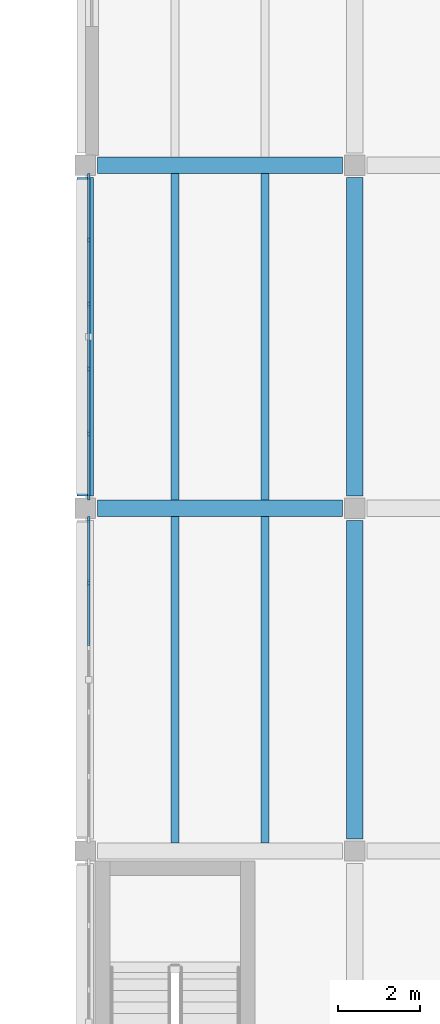
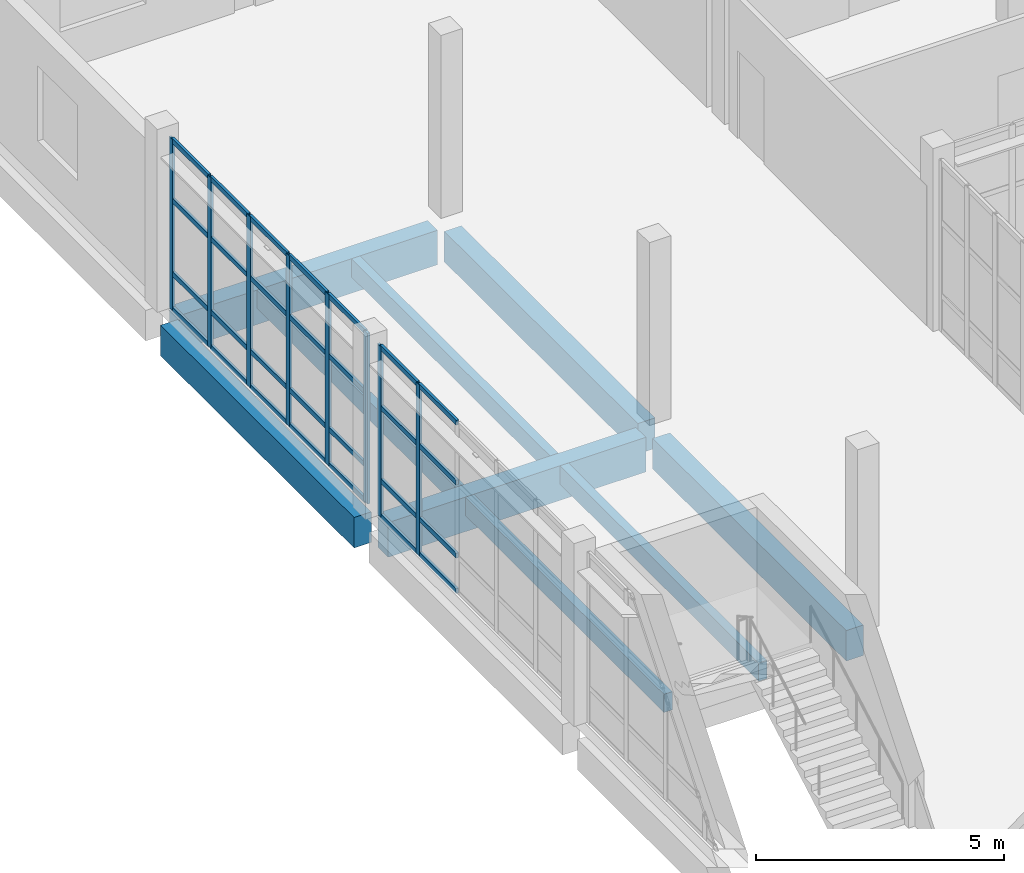
# One storey, part 31 of 83: 36 members, 9 beams, 2 elements without a shape of their own.
"""IFC4 building model written with IfcOpenShell, lengths in metres."""

from ifc_helpers import new_model, si_unit, direction, frame, origin, origin_2d, place, context, subcontext, project, spatial, rectangle, extrude, material, material_profile, profile_set, type_object, element, aggregate, save


model = new_model("IFC4")

# Units and contexts
model_context = context("Model", 3, precision=1e-05, world=origin(), true_north=direction((0.0, 1.0)))
body_context = subcontext(model_context, "Body", "Model", "MODEL_VIEW")
ifc_project = project(units=[si_unit("LENGTHUNIT", "METRE"), si_unit("AREAUNIT", "SQUARE_METRE"), si_unit("VOLUMEUNIT", "CUBIC_METRE"), si_unit("PLANEANGLEUNIT", "RADIAN"), si_unit("MASSUNIT", "GRAM", prefix="KILO")], contexts=[model_context])

# Site, building, storey
site_placement = place(None, origin())
site = spatial("IfcSite", under=ifc_project, at=site_placement, CompositionType="ELEMENT")
building_placement = place(site_placement, origin())
building = spatial("IfcBuilding", under=site, at=building_placement, Name="Qaldarim Faculty of Natural and Applied Sciences", CompositionType="ELEMENT")
storey_placement = place(building_placement, frame((0.0, 0.0, 5.39990234375)))
storey = spatial("IfcBuildingStorey", under=building, at=storey_placement, Name="L01", CompositionType="ELEMENT", Elevation=5.39990234375)

# Beams
ifc_material_1 = material(Name="Concrete C50/60", Category="concrete")
ifc_material_profile_1 = material_profile(ifc_material_1, rectangle(XDim=0.39990234375, YDim=0.75, at=origin_2d()), Name="RC-B400x750")
ifc_profile_set_1 = profile_set([ifc_material_profile_1], Name="Concrete C50/60")
beam_type_1 = type_object("IfcBeamType", Name="LabGirder-RC400x750", PredefinedType="BEAM", material=ifc_profile_set_1)
beam_1_placement = place(storey_placement, frame((151.800048828125, 101.10009765625, -0.6748046875), z_axis=(0.0, 1.0, 0.0), x_axis=(-1.0, 0.0, 0.0)))
element("IfcBeam", 1, at=beam_1_placement, inside=storey, type_object=beam_type_1, Name="Beam RC-B400x750 L00 X24/Y13-Y14", PredefinedType="BEAM", context=body_context, shape_type="SweptSolid", body=[
    extrude(rectangle(XDim=0.39990234375, YDim=0.75, at=origin_2d()), origin(), (0.0, 0.0, 1.0), 7.7998046875),
])
beam_2_placement = place(storey_placement, frame((158.39990234375, 92.699951171875, -0.6748046875), z_axis=(0.0, 1.0, 0.0), x_axis=(-1.0, 0.0, 0.0)))
element("IfcBeam", 2, at=beam_2_placement, inside=storey, type_object=beam_type_1, Name="Beam RC-B400x750 L00 X25/Y12-Y13", PredefinedType="BEAM", context=body_context, shape_type="SweptSolid", body=[
    extrude(rectangle(XDim=0.39990234375, YDim=0.75, at=origin_2d()), origin(), (0.0, 0.0, 1.0), 7.800048828125),
])
beam_3_placement = place(storey_placement, frame((158.39990234375, 101.10009765625, -0.6748046875), z_axis=(0.0, 1.0, 0.0), x_axis=(-1.0, 0.0, 0.0)))
element("IfcBeam", 3, at=beam_3_placement, inside=storey, type_object=beam_type_1, Name="Beam RC-B400x750 L00 X25/Y13-Y14", PredefinedType="BEAM", context=body_context, shape_type="SweptSolid", body=[
    extrude(rectangle(XDim=0.39990234375, YDim=0.75, at=origin_2d()), origin(), (0.0, 0.0, 1.0), 7.7998046875),
])
ifc_material_2 = material(Name="Concrete C40/50", Category="concrete")
ifc_material_profile_2 = material_profile(ifc_material_2, rectangle(XDim=0.199951171875, YDim=0.449951171875, at=origin_2d()), Name="RC-J200x450")
ifc_profile_set_2 = profile_set([ifc_material_profile_2], Name="Concrete C40/50")
beam_type_2 = type_object("IfcBeamType", Name="LabJoist-RC200x450", PredefinedType="JOIST", material=ifc_profile_set_2)
for number, where, z_axis, x_axis, name in (
    (4, (154.0, 92.60009765625, -0.52490234375), (0.0, 1.0, 0.0), (-1.0, 0.0, 0.0), "Laboratory joist L00 bay X24Y12-1"),
    (5, (156.199951171875, 92.60009765625, -0.52490234375), (0.0, 1.0, 0.0), (-1.0, 0.0, 0.0), "Laboratory joist L00 bay X24Y12-2"),
    (6, (154.0, 101.0, -0.52490234375), (0.0, 1.0, 0.0), (-1.0, 0.0, 0.0), "Laboratory joist L00 bay X24Y13-1"),
    (7, (156.199951171875, 101.0, -0.52490234375), (0.0, 1.0, 0.0), (-1.0, 0.0, 0.0), "Laboratory joist L00 bay X24Y13-2"),
):
    element("IfcBeam", number, at=place(storey_placement, frame(where, z_axis=z_axis, x_axis=x_axis)), inside=storey, type_object=beam_type_2, Name=name, PredefinedType="JOIST", context=body_context, shape_type="SweptSolid", body=[
        extrude(rectangle(XDim=0.199951171875, YDim=0.449951171875, at=origin_2d()), origin(), (0.0, 0.0, 1.0), 8.0),
    ])

# Curtain wall, members
ifc_material_3 = material(Name="Anodised aluminium AW-6063", Category="aluminium")
curtain_wall_type = type_object("IfcCurtainWallType", Name="CurtainWallSystem-M1600", PredefinedType="USERDEFINED", material=ifc_material_3)
curtain_wall_1_placement = place(storey_placement, origin())
curtain_wall_1 = element("IfcCurtainWall", 8, at=curtain_wall_1_placement, inside=storey, type_object=curtain_wall_type, Name="Curtain wall CW-L01-W-X24Y12", ObjectType="UNITISED FACADE", PredefinedType="USERDEFINED")
ifc_material_profile_3 = material_profile(ifc_material_3, rectangle(XDim=0.06005859375, YDim=0.14990234375, at=origin_2d()), Name="ALU-M60x150")
ifc_profile_set_3 = profile_set([ifc_material_profile_3], Name="Anodised aluminium AW-6063")
member_type_1 = type_object("IfcMemberType", Name="Mullion-ALU60x150", PredefinedType="MULLION", material=ifc_profile_set_3)
member_1_placement = place(storey_placement, frame((151.8798828125, 100.52490234375, 0.0), z_axis=(0.0, 0.0, 1.0), x_axis=(1.0, 0.0, 0.0)))
member_1 = element("IfcMember", 9, at=member_1_placement, type_object=member_type_1, Name="Mullion 1 of CW-L01-W-X24Y12", PredefinedType="MULLION", context=body_context, shape_type="SweptSolid", body=[
    extrude(rectangle(XDim=0.06005859375, YDim=0.14990234375, at=origin_2d()), origin(), (0.0, 0.0, 1.0), 4.2001953125),
])
member_2_placement = place(storey_placement, frame((151.8798828125, 98.972900390625, 0.0), z_axis=(0.0, 0.0, 1.0), x_axis=(1.0, 0.0, 0.0)))
member_2 = element("IfcMember", 10, at=member_2_placement, type_object=member_type_1, Name="Mullion 2 of CW-L01-W-X24Y12", PredefinedType="MULLION", context=body_context, shape_type="SweptSolid", body=[
    extrude(rectangle(XDim=0.06005859375, YDim=0.14990234375, at=origin_2d()), origin(), (0.0, 0.0, 1.0), 4.2001953125),
])

curtain_wall_2_placement = place(storey_placement, origin())
curtain_wall_2 = element("IfcCurtainWall", 11, at=curtain_wall_2_placement, inside=storey, type_object=curtain_wall_type, Name="Curtain wall CW-L01-W-X24Y13", ObjectType="UNITISED FACADE", PredefinedType="USERDEFINED")
member_3_placement = place(storey_placement, frame((151.8798828125, 108.925048828125, 0.0), z_axis=(0.0, 0.0, 1.0), x_axis=(1.0, 0.0, 0.0)))
member_3 = element("IfcMember", 12, at=member_3_placement, type_object=member_type_1, Name="Mullion 1 of CW-L01-W-X24Y13", PredefinedType="MULLION", context=body_context, shape_type="SweptSolid", body=[
    extrude(rectangle(XDim=0.06005859375, YDim=0.14990234375, at=origin_2d()), origin(), (0.0, 0.0, 1.0), 4.2001953125),
])
member_4_placement = place(storey_placement, frame((151.8798828125, 107.373046875, 0.0), z_axis=(0.0, 0.0, 1.0), x_axis=(1.0, 0.0, 0.0)))
member_4 = element("IfcMember", 13, at=member_4_placement, type_object=member_type_1, Name="Mullion 2 of CW-L01-W-X24Y13", PredefinedType="MULLION", context=body_context, shape_type="SweptSolid", body=[
    extrude(rectangle(XDim=0.06005859375, YDim=0.14990234375, at=origin_2d()), origin(), (0.0, 0.0, 1.0), 4.2001953125),
])
member_5_placement = place(storey_placement, frame((151.8798828125, 105.791015625, 0.0), z_axis=(0.0, 0.0, 1.0), x_axis=(1.0, 0.0, 0.0)))
member_5 = element("IfcMember", 14, at=member_5_placement, type_object=member_type_1, Name="Mullion 3 of CW-L01-W-X24Y13", PredefinedType="MULLION", context=body_context, shape_type="SweptSolid", body=[
    extrude(rectangle(XDim=0.06005859375, YDim=0.14990234375, at=origin_2d()), origin(), (0.0, 0.0, 1.0), 4.2001953125),
])
member_6_placement = place(storey_placement, frame((151.8798828125, 104.208984375, 0.0), z_axis=(0.0, 0.0, 1.0), x_axis=(1.0, 0.0, 0.0)))
member_6 = element("IfcMember", 15, at=member_6_placement, type_object=member_type_1, Name="Mullion 4 of CW-L01-W-X24Y13", PredefinedType="MULLION", context=body_context, shape_type="SweptSolid", body=[
    extrude(rectangle(XDim=0.06005859375, YDim=0.14990234375, at=origin_2d()), origin(), (0.0, 0.0, 1.0), 4.2001953125),
])
member_7_placement = place(storey_placement, frame((151.8798828125, 102.626953125, 0.0), z_axis=(0.0, 0.0, 1.0), x_axis=(1.0, 0.0, 0.0)))
member_7 = element("IfcMember", 16, at=member_7_placement, type_object=member_type_1, Name="Mullion 5 of CW-L01-W-X24Y13", PredefinedType="MULLION", context=body_context, shape_type="SweptSolid", body=[
    extrude(rectangle(XDim=0.06005859375, YDim=0.14990234375, at=origin_2d()), origin(), (0.0, 0.0, 1.0), 4.2001953125),
])
member_8_placement = place(storey_placement, frame((151.8798828125, 101.074951171875, 0.0), z_axis=(0.0, 0.0, 1.0), x_axis=(1.0, 0.0, 0.0)))
member_8 = element("IfcMember", 17, at=member_8_placement, type_object=member_type_1, Name="Mullion 6 of CW-L01-W-X24Y13", PredefinedType="MULLION", context=body_context, shape_type="SweptSolid", body=[
    extrude(rectangle(XDim=0.06005859375, YDim=0.14990234375, at=origin_2d()), origin(), (0.0, 0.0, 1.0), 4.2001953125),
])

# Beams
ifc_material_profile_4 = material_profile(ifc_material_1, rectangle(XDim=0.39990234375, YDim=0.85009765625, at=origin_2d()), Name="RC-B400x850")
ifc_profile_set_4 = profile_set([ifc_material_profile_4], Name="Concrete C50/60")
beam_type_3 = type_object("IfcBeamType", Name="PodiumGirder-RC400x850", PredefinedType="BEAM", material=ifc_profile_set_4)
for number, where, z_axis, x_axis, name in (
    (18, (152.10009765625, 100.800048828125, -0.724853515625), (1.0, 0.0, 0.0), (0.0, 1.0, 0.0), "Beam RC-B400x850 L00 X24-X25/Y13"),
    (19, (152.10009765625, 109.199951171875, -0.724853515625), (1.0, 0.0, 0.0), (0.0, 1.0, 0.0), "Beam RC-B400x850 L00 X24-X25/Y14"),
):
    element("IfcBeam", number, at=place(storey_placement, frame(where, z_axis=z_axis, x_axis=x_axis)), inside=storey, type_object=beam_type_3, Name=name, PredefinedType="BEAM", context=body_context, shape_type="SweptSolid", body=[
        extrude(rectangle(XDim=0.39990234375, YDim=0.85009765625, at=origin_2d()), origin(), (0.0, 0.0, 1.0), 6.0),
    ])

# Member
ifc_material_profile_5 = material_profile(ifc_material_3, rectangle(XDim=0.06005859375, YDim=0.1201171875, at=origin_2d()), Name="ALU-T60x120")
ifc_profile_set_5 = profile_set([ifc_material_profile_5], Name="Anodised aluminium AW-6063")
member_type_2 = type_object("IfcMemberType", Name="Transom-ALU60x120", PredefinedType="USERDEFINED", material=ifc_profile_set_5)
member_9_placement = place(storey_placement, frame((151.8798828125, 100.4951171875, 0.030029296875), z_axis=(0.0, -1.0, 0.0), x_axis=(1.0, 0.0, 0.0)))
member_9 = element("IfcMember", 20, at=member_9_placement, type_object=member_type_2, Name="Transom 1-1 of CW-L01-W-X24Y12", ObjectType="TRANSOM", PredefinedType="USERDEFINED", context=body_context, shape_type="SweptSolid", body=[
    extrude(rectangle(XDim=0.06005859375, YDim=0.1201171875, at=origin_2d()), origin(), (0.0, 0.0, 1.0), 1.4921875),
])

member_10_placement = place(storey_placement, frame((151.8798828125, 100.4951171875, 0.900146484375), z_axis=(0.0, -1.0, 0.0), x_axis=(1.0, 0.0, 0.0)))
member_10 = element("IfcMember", 21, at=member_10_placement, type_object=member_type_2, Name="Transom 1-2 of CW-L01-W-X24Y12", ObjectType="TRANSOM", PredefinedType="USERDEFINED", context=body_context, shape_type="SweptSolid", body=[
    extrude(rectangle(XDim=0.06005859375, YDim=0.1201171875, at=origin_2d()), origin(), (0.0, 0.0, 1.0), 1.4921875),
])

member_11_placement = place(storey_placement, frame((151.8798828125, 100.4951171875, 2.7001953125), z_axis=(0.0, -1.0, 0.0), x_axis=(1.0, 0.0, 0.0)))
member_11 = element("IfcMember", 22, at=member_11_placement, type_object=member_type_2, Name="Transom 1-3 of CW-L01-W-X24Y12", ObjectType="TRANSOM", PredefinedType="USERDEFINED", context=body_context, shape_type="SweptSolid", body=[
    extrude(rectangle(XDim=0.06005859375, YDim=0.1201171875, at=origin_2d()), origin(), (0.0, 0.0, 1.0), 1.4921875),
])

member_12_placement = place(storey_placement, frame((151.8798828125, 100.4951171875, 4.170166015625), z_axis=(0.0, -1.0, 0.0), x_axis=(1.0, 0.0, 0.0)))
member_12 = element("IfcMember", 23, at=member_12_placement, type_object=member_type_2, Name="Transom 1-4 of CW-L01-W-X24Y12", ObjectType="TRANSOM", PredefinedType="USERDEFINED", context=body_context, shape_type="SweptSolid", body=[
    extrude(rectangle(XDim=0.06005859375, YDim=0.1201171875, at=origin_2d()), origin(), (0.0, 0.0, 1.0), 1.4921875),
])

member_13_placement = place(storey_placement, frame((151.8798828125, 98.943115234375, 0.030029296875), z_axis=(0.0, -1.0, 0.0), x_axis=(1.0, 0.0, 0.0)))
member_13 = element("IfcMember", 24, at=member_13_placement, type_object=member_type_2, Name="Transom 2-1 of CW-L01-W-X24Y12", ObjectType="TRANSOM", PredefinedType="USERDEFINED", context=body_context, shape_type="SweptSolid", body=[
    extrude(rectangle(XDim=0.06005859375, YDim=0.1201171875, at=origin_2d()), origin(), (0.0, 0.0, 1.0), 1.522216796875),
])

member_14_placement = place(storey_placement, frame((151.8798828125, 98.943115234375, 0.900146484375), z_axis=(0.0, -1.0, 0.0), x_axis=(1.0, 0.0, 0.0)))
member_14 = element("IfcMember", 25, at=member_14_placement, type_object=member_type_2, Name="Transom 2-2 of CW-L01-W-X24Y12", ObjectType="TRANSOM", PredefinedType="USERDEFINED", context=body_context, shape_type="SweptSolid", body=[
    extrude(rectangle(XDim=0.06005859375, YDim=0.1201171875, at=origin_2d()), origin(), (0.0, 0.0, 1.0), 1.522216796875),
])

member_15_placement = place(storey_placement, frame((151.8798828125, 98.943115234375, 2.7001953125), z_axis=(0.0, -1.0, 0.0), x_axis=(1.0, 0.0, 0.0)))
member_15 = element("IfcMember", 26, at=member_15_placement, type_object=member_type_2, Name="Transom 2-3 of CW-L01-W-X24Y12", ObjectType="TRANSOM", PredefinedType="USERDEFINED", context=body_context, shape_type="SweptSolid", body=[
    extrude(rectangle(XDim=0.06005859375, YDim=0.1201171875, at=origin_2d()), origin(), (0.0, 0.0, 1.0), 1.522216796875),
])

member_16_placement = place(storey_placement, frame((151.8798828125, 98.943115234375, 4.170166015625), z_axis=(0.0, -1.0, 0.0), x_axis=(1.0, 0.0, 0.0)))
member_16 = element("IfcMember", 27, at=member_16_placement, type_object=member_type_2, Name="Transom 2-4 of CW-L01-W-X24Y12", ObjectType="TRANSOM", PredefinedType="USERDEFINED", context=body_context, shape_type="SweptSolid", body=[
    extrude(rectangle(XDim=0.06005859375, YDim=0.1201171875, at=origin_2d()), origin(), (0.0, 0.0, 1.0), 1.522216796875),
])

aggregate(curtain_wall_1, [member_1, member_2, member_9, member_10, member_11, member_12, member_13, member_14, member_15, member_16])

member_17_placement = place(storey_placement, frame((151.8798828125, 108.89501953125, 0.030029296875), z_axis=(0.0, -1.0, 0.0), x_axis=(1.0, 0.0, 0.0)))
member_17 = element("IfcMember", 28, at=member_17_placement, type_object=member_type_2, Name="Transom 1-1 of CW-L01-W-X24Y13", ObjectType="TRANSOM", PredefinedType="USERDEFINED", context=body_context, shape_type="SweptSolid", body=[
    extrude(rectangle(XDim=0.06005859375, YDim=0.1201171875, at=origin_2d()), origin(), (0.0, 0.0, 1.0), 1.491943359375),
])

member_18_placement = place(storey_placement, frame((151.8798828125, 108.89501953125, 0.900146484375), z_axis=(0.0, -1.0, 0.0), x_axis=(1.0, 0.0, 0.0)))
member_18 = element("IfcMember", 29, at=member_18_placement, type_object=member_type_2, Name="Transom 1-2 of CW-L01-W-X24Y13", ObjectType="TRANSOM", PredefinedType="USERDEFINED", context=body_context, shape_type="SweptSolid", body=[
    extrude(rectangle(XDim=0.06005859375, YDim=0.1201171875, at=origin_2d()), origin(), (0.0, 0.0, 1.0), 1.491943359375),
])

member_19_placement = place(storey_placement, frame((151.8798828125, 108.89501953125, 2.7001953125), z_axis=(0.0, -1.0, 0.0), x_axis=(1.0, 0.0, 0.0)))
member_19 = element("IfcMember", 30, at=member_19_placement, type_object=member_type_2, Name="Transom 1-3 of CW-L01-W-X24Y13", ObjectType="TRANSOM", PredefinedType="USERDEFINED", context=body_context, shape_type="SweptSolid", body=[
    extrude(rectangle(XDim=0.06005859375, YDim=0.1201171875, at=origin_2d()), origin(), (0.0, 0.0, 1.0), 1.491943359375),
])

member_20_placement = place(storey_placement, frame((151.8798828125, 108.89501953125, 4.170166015625), z_axis=(0.0, -1.0, 0.0), x_axis=(1.0, 0.0, 0.0)))
member_20 = element("IfcMember", 31, at=member_20_placement, type_object=member_type_2, Name="Transom 1-4 of CW-L01-W-X24Y13", ObjectType="TRANSOM", PredefinedType="USERDEFINED", context=body_context, shape_type="SweptSolid", body=[
    extrude(rectangle(XDim=0.06005859375, YDim=0.1201171875, at=origin_2d()), origin(), (0.0, 0.0, 1.0), 1.491943359375),
])

member_21_placement = place(storey_placement, frame((151.8798828125, 107.343017578125, 0.030029296875), z_axis=(0.0, -1.0, 0.0), x_axis=(1.0, 0.0, 0.0)))
member_21 = element("IfcMember", 32, at=member_21_placement, type_object=member_type_2, Name="Transom 2-1 of CW-L01-W-X24Y13", ObjectType="TRANSOM", PredefinedType="USERDEFINED", context=body_context, shape_type="SweptSolid", body=[
    extrude(rectangle(XDim=0.06005859375, YDim=0.1201171875, at=origin_2d()), origin(), (0.0, 0.0, 1.0), 1.52197265625),
])

member_22_placement = place(storey_placement, frame((151.8798828125, 107.343017578125, 0.900146484375), z_axis=(0.0, -1.0, 0.0), x_axis=(1.0, 0.0, 0.0)))
member_22 = element("IfcMember", 33, at=member_22_placement, type_object=member_type_2, Name="Transom 2-2 of CW-L01-W-X24Y13", ObjectType="TRANSOM", PredefinedType="USERDEFINED", context=body_context, shape_type="SweptSolid", body=[
    extrude(rectangle(XDim=0.06005859375, YDim=0.1201171875, at=origin_2d()), origin(), (0.0, 0.0, 1.0), 1.52197265625),
])

member_23_placement = place(storey_placement, frame((151.8798828125, 107.343017578125, 2.7001953125), z_axis=(0.0, -1.0, 0.0), x_axis=(1.0, 0.0, 0.0)))
member_23 = element("IfcMember", 34, at=member_23_placement, type_object=member_type_2, Name="Transom 2-3 of CW-L01-W-X24Y13", ObjectType="TRANSOM", PredefinedType="USERDEFINED", context=body_context, shape_type="SweptSolid", body=[
    extrude(rectangle(XDim=0.06005859375, YDim=0.1201171875, at=origin_2d()), origin(), (0.0, 0.0, 1.0), 1.52197265625),
])

member_24_placement = place(storey_placement, frame((151.8798828125, 107.343017578125, 4.170166015625), z_axis=(0.0, -1.0, 0.0), x_axis=(1.0, 0.0, 0.0)))
member_24 = element("IfcMember", 35, at=member_24_placement, type_object=member_type_2, Name="Transom 2-4 of CW-L01-W-X24Y13", ObjectType="TRANSOM", PredefinedType="USERDEFINED", context=body_context, shape_type="SweptSolid", body=[
    extrude(rectangle(XDim=0.06005859375, YDim=0.1201171875, at=origin_2d()), origin(), (0.0, 0.0, 1.0), 1.52197265625),
])

member_25_placement = place(storey_placement, frame((151.8798828125, 105.760986328125, 0.030029296875), z_axis=(0.0, -1.0, 0.0), x_axis=(1.0, 0.0, 0.0)))
member_25 = element("IfcMember", 36, at=member_25_placement, type_object=member_type_2, Name="Transom 3-1 of CW-L01-W-X24Y13", ObjectType="TRANSOM", PredefinedType="USERDEFINED", context=body_context, shape_type="SweptSolid", body=[
    extrude(rectangle(XDim=0.06005859375, YDim=0.1201171875, at=origin_2d()), origin(), (0.0, 0.0, 1.0), 1.52197265625),
])

member_26_placement = place(storey_placement, frame((151.8798828125, 105.760986328125, 0.900146484375), z_axis=(0.0, -1.0, 0.0), x_axis=(1.0, 0.0, 0.0)))
member_26 = element("IfcMember", 37, at=member_26_placement, type_object=member_type_2, Name="Transom 3-2 of CW-L01-W-X24Y13", ObjectType="TRANSOM", PredefinedType="USERDEFINED", context=body_context, shape_type="SweptSolid", body=[
    extrude(rectangle(XDim=0.06005859375, YDim=0.1201171875, at=origin_2d()), origin(), (0.0, 0.0, 1.0), 1.52197265625),
])

member_27_placement = place(storey_placement, frame((151.8798828125, 105.760986328125, 2.7001953125), z_axis=(0.0, -1.0, 0.0), x_axis=(1.0, 0.0, 0.0)))
member_27 = element("IfcMember", 38, at=member_27_placement, type_object=member_type_2, Name="Transom 3-3 of CW-L01-W-X24Y13", ObjectType="TRANSOM", PredefinedType="USERDEFINED", context=body_context, shape_type="SweptSolid", body=[
    extrude(rectangle(XDim=0.06005859375, YDim=0.1201171875, at=origin_2d()), origin(), (0.0, 0.0, 1.0), 1.52197265625),
])

member_28_placement = place(storey_placement, frame((151.8798828125, 105.760986328125, 4.170166015625), z_axis=(0.0, -1.0, 0.0), x_axis=(1.0, 0.0, 0.0)))
member_28 = element("IfcMember", 39, at=member_28_placement, type_object=member_type_2, Name="Transom 3-4 of CW-L01-W-X24Y13", ObjectType="TRANSOM", PredefinedType="USERDEFINED", context=body_context, shape_type="SweptSolid", body=[
    extrude(rectangle(XDim=0.06005859375, YDim=0.1201171875, at=origin_2d()), origin(), (0.0, 0.0, 1.0), 1.52197265625),
])

member_29_placement = place(storey_placement, frame((151.8798828125, 104.178955078125, 0.030029296875), z_axis=(0.0, -1.0, 0.0), x_axis=(1.0, 0.0, 0.0)))
member_29 = element("IfcMember", 40, at=member_29_placement, type_object=member_type_2, Name="Transom 4-1 of CW-L01-W-X24Y13", ObjectType="TRANSOM", PredefinedType="USERDEFINED", context=body_context, shape_type="SweptSolid", body=[
    extrude(rectangle(XDim=0.06005859375, YDim=0.1201171875, at=origin_2d()), origin(), (0.0, 0.0, 1.0), 1.52197265625),
])

member_30_placement = place(storey_placement, frame((151.8798828125, 104.178955078125, 0.900146484375), z_axis=(0.0, -1.0, 0.0), x_axis=(1.0, 0.0, 0.0)))
member_30 = element("IfcMember", 41, at=member_30_placement, type_object=member_type_2, Name="Transom 4-2 of CW-L01-W-X24Y13", ObjectType="TRANSOM", PredefinedType="USERDEFINED", context=body_context, shape_type="SweptSolid", body=[
    extrude(rectangle(XDim=0.06005859375, YDim=0.1201171875, at=origin_2d()), origin(), (0.0, 0.0, 1.0), 1.52197265625),
])

member_31_placement = place(storey_placement, frame((151.8798828125, 104.178955078125, 2.7001953125), z_axis=(0.0, -1.0, 0.0), x_axis=(1.0, 0.0, 0.0)))
member_31 = element("IfcMember", 42, at=member_31_placement, type_object=member_type_2, Name="Transom 4-3 of CW-L01-W-X24Y13", ObjectType="TRANSOM", PredefinedType="USERDEFINED", context=body_context, shape_type="SweptSolid", body=[
    extrude(rectangle(XDim=0.06005859375, YDim=0.1201171875, at=origin_2d()), origin(), (0.0, 0.0, 1.0), 1.52197265625),
])

member_32_placement = place(storey_placement, frame((151.8798828125, 104.178955078125, 4.170166015625), z_axis=(0.0, -1.0, 0.0), x_axis=(1.0, 0.0, 0.0)))
member_32 = element("IfcMember", 43, at=member_32_placement, type_object=member_type_2, Name="Transom 4-4 of CW-L01-W-X24Y13", ObjectType="TRANSOM", PredefinedType="USERDEFINED", context=body_context, shape_type="SweptSolid", body=[
    extrude(rectangle(XDim=0.06005859375, YDim=0.1201171875, at=origin_2d()), origin(), (0.0, 0.0, 1.0), 1.52197265625),
])

member_33_placement = place(storey_placement, frame((151.8798828125, 102.596923828125, 0.030029296875), z_axis=(0.0, -1.0, 0.0), x_axis=(1.0, 0.0, 0.0)))
member_33 = element("IfcMember", 44, at=member_33_placement, type_object=member_type_2, Name="Transom 5-1 of CW-L01-W-X24Y13", ObjectType="TRANSOM", PredefinedType="USERDEFINED", context=body_context, shape_type="SweptSolid", body=[
    extrude(rectangle(XDim=0.06005859375, YDim=0.1201171875, at=origin_2d()), origin(), (0.0, 0.0, 1.0), 1.491943359375),
])

member_34_placement = place(storey_placement, frame((151.8798828125, 102.596923828125, 0.900146484375), z_axis=(0.0, -1.0, 0.0), x_axis=(1.0, 0.0, 0.0)))
member_34 = element("IfcMember", 45, at=member_34_placement, type_object=member_type_2, Name="Transom 5-2 of CW-L01-W-X24Y13", ObjectType="TRANSOM", PredefinedType="USERDEFINED", context=body_context, shape_type="SweptSolid", body=[
    extrude(rectangle(XDim=0.06005859375, YDim=0.1201171875, at=origin_2d()), origin(), (0.0, 0.0, 1.0), 1.491943359375),
])

member_35_placement = place(storey_placement, frame((151.8798828125, 102.596923828125, 2.7001953125), z_axis=(0.0, -1.0, 0.0), x_axis=(1.0, 0.0, 0.0)))
member_35 = element("IfcMember", 46, at=member_35_placement, type_object=member_type_2, Name="Transom 5-3 of CW-L01-W-X24Y13", ObjectType="TRANSOM", PredefinedType="USERDEFINED", context=body_context, shape_type="SweptSolid", body=[
    extrude(rectangle(XDim=0.06005859375, YDim=0.1201171875, at=origin_2d()), origin(), (0.0, 0.0, 1.0), 1.491943359375),
])

member_36_placement = place(storey_placement, frame((151.8798828125, 102.596923828125, 4.170166015625), z_axis=(0.0, -1.0, 0.0), x_axis=(1.0, 0.0, 0.0)))
member_36 = element("IfcMember", 47, at=member_36_placement, type_object=member_type_2, Name="Transom 5-4 of CW-L01-W-X24Y13", ObjectType="TRANSOM", PredefinedType="USERDEFINED", context=body_context, shape_type="SweptSolid", body=[
    extrude(rectangle(XDim=0.06005859375, YDim=0.1201171875, at=origin_2d()), origin(), (0.0, 0.0, 1.0), 1.491943359375),
])

aggregate(curtain_wall_2, [member_3, member_4, member_5, member_6, member_7, member_8, member_17, member_18, member_19, member_20, member_21, member_22, member_23, member_24, member_25, member_26, member_27, member_28, member_29, member_30, member_31, member_32, member_33, member_34, member_35, member_36])

save(model, "model.ifc")
